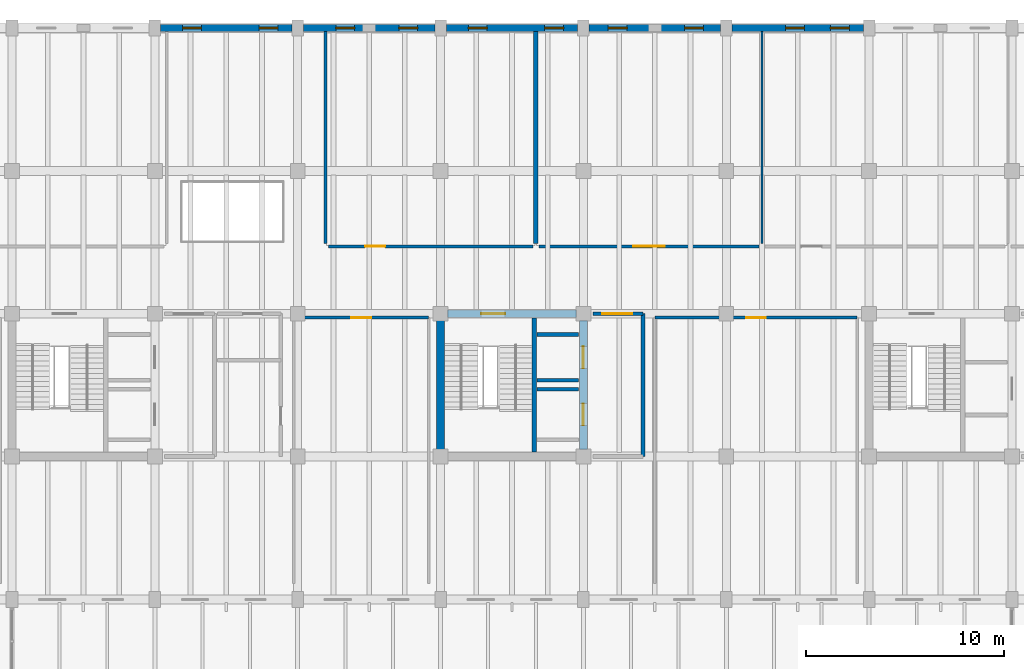
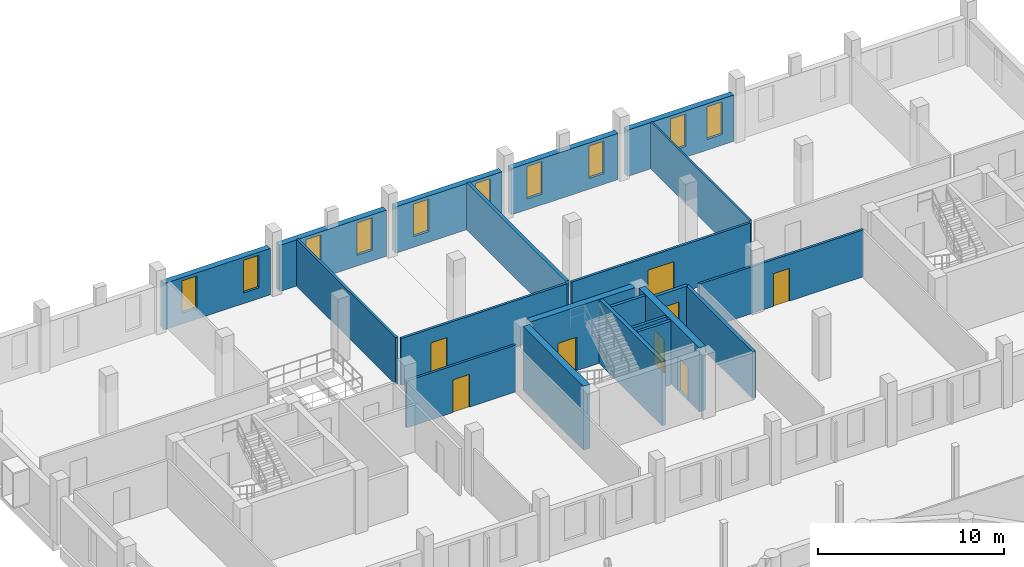
# One storey, part 53 of 63: 21 walls, 10 windows, 8 doors, 18 openings.
"""IFC4 building model written with IfcOpenShell, lengths in metres."""

from ifc_helpers import new_model, si_unit, direction, frame, frame_2d, origin, place, context, subcontext, project, spatial, rectangle, extrude, material, layer, layer_set, type_object, element, fill, save


model = new_model("IFC4")

# Units and contexts
model_context = context("Model", 3, precision=1e-05, world=origin(), true_north=direction((0.0, 1.0)))
body_context = subcontext(model_context, "Body", "Model", "MODEL_VIEW")
ifc_project = project(units=[si_unit("LENGTHUNIT", "METRE"), si_unit("AREAUNIT", "SQUARE_METRE"), si_unit("VOLUMEUNIT", "CUBIC_METRE"), si_unit("PLANEANGLEUNIT", "RADIAN"), si_unit("MASSUNIT", "GRAM", prefix="KILO")], contexts=[model_context])

# Site, building, storey
site_placement = place(None, origin())
site = spatial("IfcSite", under=ifc_project, at=site_placement, CompositionType="ELEMENT")
building_placement = place(site_placement, origin())
building = spatial("IfcBuilding", under=site, at=building_placement, Name="Qiaolan Assembly House", CompositionType="ELEMENT")
storey_placement = place(building_placement, frame((0.0, 0.0, 14.39990234375)))
storey = spatial("IfcBuildingStorey", under=building, at=storey_placement, Name="L03", CompositionType="ELEMENT", Elevation=14.39990234375)

# Wall, openings, doors
ifc_material_1 = material(Name="Concrete C45/55", Category="concrete")
ifc_layer_1 = layer(ifc_material_1, 0.39990234375)
ifc_layer_set_1 = layer_set([ifc_layer_1], Name="Concrete C45/55")
wall_type_1 = type_object("IfcWallType", Name="WAL-CORE-400", PredefinedType="SHEAR", material=ifc_layer_set_1)
wall_1_placement = place(storey_placement, frame((72.0, 93.949951171875, 0.0), z_axis=(0.0, 0.0, 1.0), x_axis=(0.0, 1.0, 0.0)))
wall_1 = element("IfcWall", 1, at=wall_1_placement, inside=storey, type_object=wall_type_1, Name="CW-400 shear core wall CORE-B E L03", PredefinedType="SHEAR", context=body_context, shape_type="SweptSolid", body=[
    extrude(rectangle(XDim=6.5, YDim=0.39990234375, at=frame_2d((3.25, 0.0))), origin(), (0.0, 0.0, 1.0), 4.2001953125),
])
opening_1_placement = place(wall_1_placement, frame((1.22509765625, 0.0, 0.0)))
opening_1 = element("IfcOpeningElement", 2, at=opening_1_placement, cuts=wall_1, Name="Opening LD-023", PredefinedType="OPENING", context=body_context, shape_type="SweptSolid", body=[
    extrude(rectangle(XDim=1.10009765625, YDim=2.199951171875, at=frame_2d((0.550048828125, 1.10009765625))), frame((0.0, 0.2099609375, 0.0), z_axis=(0.0, -1.0, 0.0), x_axis=(1.0, 0.0, 0.0)), (0.0, 0.0, 1.0), 0.419921875),
])
opening_2_placement = place(wall_1_placement, frame((4.10009765625, 0.0, 0.0)))
opening_2 = element("IfcOpeningElement", 3, at=opening_2_placement, cuts=wall_1, Name="Opening LD-032", PredefinedType="OPENING", context=body_context, shape_type="SweptSolid", body=[
    extrude(rectangle(XDim=1.10009765625, YDim=2.199951171875, at=frame_2d((0.550048828125, 1.10009765625))), frame((0.0, 0.2099609375, 0.0), z_axis=(0.0, -1.0, 0.0), x_axis=(1.0, 0.0, 0.0)), (0.0, 0.0, 1.0), 0.419921875),
])
ifc_material_2 = material(Name="Anodised bronze aluminium", Category="aluminium")
door_type_1 = type_object("IfcDoorType", Name="DOR-LIFT-LD1100", OperationType="SLIDING_TO_LEFT", PredefinedType="DOOR", material=ifc_material_2)
door_1_placement = place(opening_1_placement, origin())
door_1 = element("IfcDoor", 4, at=door_1_placement, inside=storey, type_object=door_type_1, Name="Lift landing door LD-023 (LF-03 L03)", OperationType="SLIDING_TO_LEFT", OverallHeight=2.199951171875, OverallWidth=1.10009765625, PredefinedType="DOOR", context=body_context, shape_type="SweptSolid", body=[
    extrude(rectangle(XDim=1.10009765625, YDim=2.199951171875, at=frame_2d((0.550048828125, 1.10009765625))), frame((0.0, 0.02490234375, 0.0), z_axis=(0.0, -1.0, 0.0), x_axis=(1.0, 0.0, 0.0)), (0.0, 0.0, 1.0), 0.050048828125),
])
fill(opening_1, door_1)
door_2_placement = place(opening_2_placement, origin())
door_2 = element("IfcDoor", 5, at=door_2_placement, inside=storey, type_object=door_type_1, Name="Lift landing door LD-032 (LF-04 L03)", OperationType="SLIDING_TO_LEFT", OverallHeight=2.199951171875, OverallWidth=1.10009765625, PredefinedType="DOOR", context=body_context, shape_type="SweptSolid", body=[
    extrude(rectangle(XDim=1.10009765625, YDim=2.199951171875, at=frame_2d((0.550048828125, 1.10009765625))), frame((0.0, 0.02490234375, 0.0), z_axis=(0.0, -1.0, 0.0), x_axis=(1.0, 0.0, 0.0)), (0.0, 0.0, 1.0), 0.050048828125),
])
fill(opening_2, door_2)

# Wall, opening, door
wall_2_placement = place(storey_placement, frame((71.64990234375, 100.800048828125, 0.0), z_axis=(0.0, 0.0, 1.0), x_axis=(-1.0, 0.0, 0.0)))
wall_2 = element("IfcWall", 6, at=wall_2_placement, inside=storey, type_object=wall_type_1, Name="CW-400 shear core wall CORE-B N L03", PredefinedType="SHEAR", context=body_context, shape_type="SweptSolid", body=[
    extrude(rectangle(XDim=6.5, YDim=0.39990234375, at=frame_2d((3.25, 0.0))), origin(), (0.0, 0.0, 1.0), 4.2001953125),
])
opening_3_placement = place(wall_2_placement, frame((3.60009765625, 0.0, 0.0)))
opening_3 = element("IfcOpeningElement", 7, at=opening_3_placement, cuts=wall_2, Name="Opening FD-043", PredefinedType="OPENING", context=body_context, shape_type="SweptSolid", body=[
    extrude(rectangle(XDim=1.199951171875, YDim=2.199951171875, at=frame_2d((0.60009765625, 1.10009765625))), frame((0.0, 0.2099609375, 0.0), z_axis=(0.0, -1.0, 0.0), x_axis=(1.0, 0.0, 0.0)), (0.0, 0.0, 1.0), 0.419921875),
])
ifc_material_3 = material(Name="Steel Q355B", Category="steel")
door_type_2 = type_object("IfcDoorType", Name="DOR-FIRE-FD90-1200", OperationType="NOTDEFINED", PredefinedType="DOOR", material=ifc_material_3)
door_3_placement = place(opening_3_placement, frame((1.199951171875, 0.0, 0.0), z_axis=(0.0, 0.0, 1.0), x_axis=(-1.0, 0.0, 0.0)))
door_3 = element("IfcDoor", 8, at=door_3_placement, inside=storey, type_object=door_type_2, Name="Stairwell fire door FD-043 (CORE-B L03)", OperationType="SINGLE_SWING_LEFT", OverallHeight=2.199951171875, OverallWidth=1.199951171875, PredefinedType="DOOR", context=body_context, shape_type="SweptSolid", body=[
    extrude(rectangle(XDim=1.199951171875, YDim=2.199951171875, at=frame_2d((0.60009765625, 1.10009765625))), frame((0.0, 0.02490234375, 0.0), z_axis=(0.0, -1.0, 0.0), x_axis=(1.0, 0.0, 0.0)), (0.0, 0.0, 1.0), 0.050048828125),
])
fill(opening_3, door_3)

# Wall
wall_3_placement = place(storey_placement, frame((64.800048828125, 100.449951171875, 0.0), z_axis=(0.0, 0.0, 1.0), x_axis=(0.0, -1.0, 0.0)))
element("IfcWall", 9, at=wall_3_placement, inside=storey, type_object=wall_type_1, Name="CW-400 shear core wall CORE-B W L03", PredefinedType="SHEAR", context=body_context, shape_type="SweptSolid", body=[
    extrude(rectangle(XDim=6.5, YDim=0.39990234375, at=frame_2d((3.25, 0.0))), origin(), (0.0, 0.0, 1.0), 4.2001953125),
])

# Wall, openings, windows
ifc_material_4 = material(Name="Honed pale limestone", Category="masonry")
ifc_layer_2 = layer(ifc_material_4, 0.360107421875)
ifc_layer_set_2 = layer_set([ifc_layer_2], Name="Honed pale limestone")
wall_type_2 = type_object("IfcWallType", Name="WAL-EXT-LIMESTONE-360", PredefinedType="SOLIDWALL", material=ifc_layer_set_2)
wall_4_placement = place(storey_placement, frame((57.31201171875, 115.199951171875, 0.0), z_axis=(0.0, 0.0, 1.0), x_axis=(-1.0, 0.0, 0.0)))
wall_4 = element("IfcWall", 10, at=wall_4_placement, inside=storey, type_object=wall_type_2, Name="EW-360 NW North street wall L03 bay 3", PredefinedType="SOLIDWALL", context=body_context, shape_type="SweptSolid", body=[
    extrude(rectangle(XDim=6.6240234375, YDim=0.360107421875, at=frame_2d((3.31201171875, 0.0))), origin(), (0.0, 0.0, 1.0), 3.0400390625),
])
opening_4_placement = place(wall_4_placement, frame((0.7119140625, 0.0, 0.699951171875)))
opening_4 = element("IfcOpeningElement", 11, at=opening_4_placement, cuts=wall_4, Name="Opening WN-072", PredefinedType="OPENING", context=body_context, shape_type="SweptSolid", body=[
    extrude(rectangle(XDim=0.949951171875, YDim=2.139892578125, at=frame_2d((0.47509765625, 1.06982421875))), frame((0.0, 0.18994140625, 0.0), z_axis=(0.0, -1.0, 0.0), x_axis=(1.0, 0.0, 0.0)), (0.0, 0.0, 1.0), 0.380126953125),
])
opening_5_placement = place(wall_4_placement, frame((4.56201171875, 0.0, 0.699951171875)))
opening_5 = element("IfcOpeningElement", 12, at=opening_5_placement, cuts=wall_4, Name="Opening WN-073", PredefinedType="OPENING", context=body_context, shape_type="SweptSolid", body=[
    extrude(rectangle(XDim=0.949951171875, YDim=2.139892578125, at=frame_2d((0.47509765625, 1.06982421875))), frame((0.0, 0.18994140625, 0.0), z_axis=(0.0, -1.0, 0.0), x_axis=(1.0, 0.0, 0.0)), (0.0, 0.0, 1.0), 0.380126953125),
])
ifc_material_5 = material(Name="Low-E double insulating glass", Category="glass")
window_type = type_object("IfcWindowType", Name="WIN-PUNCH-950x2400", PartitioningType="SINGLE_PANEL", PredefinedType="WINDOW", material=ifc_material_5)
window_1_placement = place(opening_4_placement, origin())
window_1 = element("IfcWindow", 13, at=window_1_placement, inside=storey, type_object=window_type, Name="WN-T06 window WN-072", OverallHeight=2.139892578125, OverallWidth=0.949951171875, PartitioningType="SINGLE_PANEL", PredefinedType="WINDOW", context=body_context, shape_type="SweptSolid", body=[
    extrude(rectangle(XDim=0.949951171875, YDim=2.139892578125, at=frame_2d((0.47509765625, 1.06982421875))), frame((0.0, 0.030029296875, 0.0), z_axis=(0.0, -1.0, 0.0), x_axis=(1.0, 0.0, 0.0)), (0.0, 0.0, 1.0), 0.06005859375),
])
fill(opening_4, window_1)
window_2_placement = place(opening_5_placement, origin())
window_2 = element("IfcWindow", 14, at=window_2_placement, inside=storey, type_object=window_type, Name="WN-T06 window WN-073", OverallHeight=2.139892578125, OverallWidth=0.949951171875, PartitioningType="SINGLE_PANEL", PredefinedType="WINDOW", context=body_context, shape_type="SweptSolid", body=[
    extrude(rectangle(XDim=0.949951171875, YDim=2.139892578125, at=frame_2d((0.47509765625, 1.06982421875))), frame((0.0, 0.030029296875, 0.0), z_axis=(0.0, -1.0, 0.0), x_axis=(1.0, 0.0, 0.0)), (0.0, 0.0, 1.0), 0.06005859375),
])
fill(opening_5, window_2)

wall_5_placement = place(storey_placement, frame((64.511962890625, 115.199951171875, 0.0), z_axis=(0.0, 0.0, 1.0), x_axis=(-1.0, 0.0, 0.0)))
wall_5 = element("IfcWall", 15, at=wall_5_placement, inside=storey, type_object=wall_type_2, Name="EW-360 NW North street wall L03 bay 4", PredefinedType="SOLIDWALL", context=body_context, shape_type="SweptSolid", body=[
    extrude(rectangle(XDim=6.6240234375, YDim=0.360107421875, at=frame_2d((3.31201171875, 0.0))), origin(), (0.0, 0.0, 1.0), 3.0400390625),
])
opening_6_placement = place(wall_5_placement, frame((0.862060546875, 0.0, 0.699951171875)))
opening_6 = element("IfcOpeningElement", 16, at=opening_6_placement, cuts=wall_5, Name="Opening WN-074", PredefinedType="OPENING", context=body_context, shape_type="SweptSolid", body=[
    extrude(rectangle(XDim=0.949951171875, YDim=2.139892578125, at=frame_2d((0.47509765625, 1.06982421875))), frame((0.0, 0.18994140625, 0.0), z_axis=(0.0, -1.0, 0.0), x_axis=(1.0, 0.0, 0.0)), (0.0, 0.0, 1.0), 0.380126953125),
])
opening_7_placement = place(wall_5_placement, frame((4.04443359375, 0.0, 0.699951171875)))
opening_7 = element("IfcOpeningElement", 17, at=opening_7_placement, cuts=wall_5, Name="Opening WN-075", PredefinedType="OPENING", context=body_context, shape_type="SweptSolid", body=[
    extrude(rectangle(XDim=0.949951171875, YDim=2.139892578125, at=frame_2d((0.47509765625, 1.06982421875))), frame((0.0, 0.18994140625, 0.0), z_axis=(0.0, -1.0, 0.0), x_axis=(1.0, 0.0, 0.0)), (0.0, 0.0, 1.0), 0.380126953125),
])
window_3_placement = place(opening_6_placement, origin())
window_3 = element("IfcWindow", 18, at=window_3_placement, inside=storey, type_object=window_type, Name="WN-T06 window WN-074", OverallHeight=2.139892578125, OverallWidth=0.949951171875, PartitioningType="SINGLE_PANEL", PredefinedType="WINDOW", context=body_context, shape_type="SweptSolid", body=[
    extrude(rectangle(XDim=0.949951171875, YDim=2.139892578125, at=frame_2d((0.47509765625, 1.06982421875))), frame((0.0, 0.030029296875, 0.0), z_axis=(0.0, -1.0, 0.0), x_axis=(1.0, 0.0, 0.0)), (0.0, 0.0, 1.0), 0.06005859375),
])
fill(opening_6, window_3)
window_4_placement = place(opening_7_placement, origin())
window_4 = element("IfcWindow", 19, at=window_4_placement, inside=storey, type_object=window_type, Name="WN-T06 window WN-075", OverallHeight=2.139892578125, OverallWidth=0.949951171875, PartitioningType="SINGLE_PANEL", PredefinedType="WINDOW", context=body_context, shape_type="SweptSolid", body=[
    extrude(rectangle(XDim=0.949951171875, YDim=2.139892578125, at=frame_2d((0.47509765625, 1.06982421875))), frame((0.0, 0.030029296875, 0.0), z_axis=(0.0, -1.0, 0.0), x_axis=(1.0, 0.0, 0.0)), (0.0, 0.0, 1.0), 0.06005859375),
])
fill(opening_7, window_4)

wall_6_placement = place(storey_placement, frame((71.7119140625, 115.199951171875, 0.0), z_axis=(0.0, 0.0, 1.0), x_axis=(-1.0, 0.0, 0.0)))
wall_6 = element("IfcWall", 20, at=wall_6_placement, inside=storey, type_object=wall_type_2, Name="EW-360 NW North street wall L03 bay 5", PredefinedType="SOLIDWALL", context=body_context, shape_type="SweptSolid", body=[
    extrude(rectangle(XDim=6.6240234375, YDim=0.360107421875, at=frame_2d((3.31201171875, 0.0))), origin(), (0.0, 0.0, 1.0), 3.0400390625),
])
opening_8_placement = place(wall_6_placement, frame((0.7119140625, 0.0, 0.699951171875)))
opening_8 = element("IfcOpeningElement", 21, at=opening_8_placement, cuts=wall_6, Name="Opening WN-076", PredefinedType="OPENING", context=body_context, shape_type="SweptSolid", body=[
    extrude(rectangle(XDim=0.949951171875, YDim=2.139892578125, at=frame_2d((0.47509765625, 1.06982421875))), frame((0.0, 0.18994140625, 0.0), z_axis=(0.0, -1.0, 0.0), x_axis=(1.0, 0.0, 0.0)), (0.0, 0.0, 1.0), 0.380126953125),
])
opening_9_placement = place(wall_6_placement, frame((4.56201171875, 0.0, 0.699951171875)))
opening_9 = element("IfcOpeningElement", 22, at=opening_9_placement, cuts=wall_6, Name="Opening WN-077", PredefinedType="OPENING", context=body_context, shape_type="SweptSolid", body=[
    extrude(rectangle(XDim=0.949951171875, YDim=2.139892578125, at=frame_2d((0.47509765625, 1.06982421875))), frame((0.0, 0.18994140625, 0.0), z_axis=(0.0, -1.0, 0.0), x_axis=(1.0, 0.0, 0.0)), (0.0, 0.0, 1.0), 0.380126953125),
])
window_5_placement = place(opening_8_placement, origin())
window_5 = element("IfcWindow", 23, at=window_5_placement, inside=storey, type_object=window_type, Name="WN-T06 window WN-076", OverallHeight=2.139892578125, OverallWidth=0.949951171875, PartitioningType="SINGLE_PANEL", PredefinedType="WINDOW", context=body_context, shape_type="SweptSolid", body=[
    extrude(rectangle(XDim=0.949951171875, YDim=2.139892578125, at=frame_2d((0.47509765625, 1.06982421875))), frame((0.0, 0.030029296875, 0.0), z_axis=(0.0, -1.0, 0.0), x_axis=(1.0, 0.0, 0.0)), (0.0, 0.0, 1.0), 0.06005859375),
])
fill(opening_8, window_5)
window_6_placement = place(opening_9_placement, origin())
window_6 = element("IfcWindow", 24, at=window_6_placement, inside=storey, type_object=window_type, Name="WN-T06 window WN-077", OverallHeight=2.139892578125, OverallWidth=0.949951171875, PartitioningType="SINGLE_PANEL", PredefinedType="WINDOW", context=body_context, shape_type="SweptSolid", body=[
    extrude(rectangle(XDim=0.949951171875, YDim=2.139892578125, at=frame_2d((0.47509765625, 1.06982421875))), frame((0.0, 0.030029296875, 0.0), z_axis=(0.0, -1.0, 0.0), x_axis=(1.0, 0.0, 0.0)), (0.0, 0.0, 1.0), 0.06005859375),
])
fill(opening_9, window_6)

wall_7_placement = place(storey_placement, frame((78.912109375, 115.199951171875, 0.0), z_axis=(0.0, 0.0, 1.0), x_axis=(-1.0, 0.0, 0.0)))
wall_7 = element("IfcWall", 25, at=wall_7_placement, inside=storey, type_object=wall_type_2, Name="EW-360 NW North street wall L03 bay 6", PredefinedType="SOLIDWALL", context=body_context, shape_type="SweptSolid", body=[
    extrude(rectangle(XDim=6.6240234375, YDim=0.360107421875, at=frame_2d((3.31201171875, 0.0))), origin(), (0.0, 0.0, 1.0), 3.0400390625),
])
opening_10_placement = place(wall_7_placement, frame((0.862060546875, 0.0, 0.699951171875)))
opening_10 = element("IfcOpeningElement", 26, at=opening_10_placement, cuts=wall_7, Name="Opening WN-078", PredefinedType="OPENING", context=body_context, shape_type="SweptSolid", body=[
    extrude(rectangle(XDim=0.949951171875, YDim=2.139892578125, at=frame_2d((0.47509765625, 1.06982421875))), frame((0.0, 0.18994140625, 0.0), z_axis=(0.0, -1.0, 0.0), x_axis=(1.0, 0.0, 0.0)), (0.0, 0.0, 1.0), 0.380126953125),
])
opening_11_placement = place(wall_7_placement, frame((4.7119140625, 0.0, 0.699951171875)))
opening_11 = element("IfcOpeningElement", 27, at=opening_11_placement, cuts=wall_7, Name="Opening WN-079", PredefinedType="OPENING", context=body_context, shape_type="SweptSolid", body=[
    extrude(rectangle(XDim=0.949951171875, YDim=2.139892578125, at=frame_2d((0.47509765625, 1.06982421875))), frame((0.0, 0.18994140625, 0.0), z_axis=(0.0, -1.0, 0.0), x_axis=(1.0, 0.0, 0.0)), (0.0, 0.0, 1.0), 0.380126953125),
])
window_7_placement = place(opening_10_placement, origin())
window_7 = element("IfcWindow", 28, at=window_7_placement, inside=storey, type_object=window_type, Name="WN-T06 window WN-078", OverallHeight=2.139892578125, OverallWidth=0.949951171875, PartitioningType="SINGLE_PANEL", PredefinedType="WINDOW", context=body_context, shape_type="SweptSolid", body=[
    extrude(rectangle(XDim=0.949951171875, YDim=2.139892578125, at=frame_2d((0.47509765625, 1.06982421875))), frame((0.0, 0.030029296875, 0.0), z_axis=(0.0, -1.0, 0.0), x_axis=(1.0, 0.0, 0.0)), (0.0, 0.0, 1.0), 0.06005859375),
])
fill(opening_10, window_7)
window_8_placement = place(opening_11_placement, origin())
window_8 = element("IfcWindow", 29, at=window_8_placement, inside=storey, type_object=window_type, Name="WN-T06 window WN-079", OverallHeight=2.139892578125, OverallWidth=0.949951171875, PartitioningType="SINGLE_PANEL", PredefinedType="WINDOW", context=body_context, shape_type="SweptSolid", body=[
    extrude(rectangle(XDim=0.949951171875, YDim=2.139892578125, at=frame_2d((0.47509765625, 1.06982421875))), frame((0.0, 0.030029296875, 0.0), z_axis=(0.0, -1.0, 0.0), x_axis=(1.0, 0.0, 0.0)), (0.0, 0.0, 1.0), 0.06005859375),
])
fill(opening_11, window_8)

wall_8_placement = place(storey_placement, frame((86.112060546875, 115.199951171875, 0.0), z_axis=(0.0, 0.0, 1.0), x_axis=(-1.0, 0.0, 0.0)))
wall_8 = element("IfcWall", 30, at=wall_8_placement, inside=storey, type_object=wall_type_2, Name="EW-360 NW North street wall L03 bay 7", PredefinedType="SOLIDWALL", context=body_context, shape_type="SweptSolid", body=[
    extrude(rectangle(XDim=6.6240234375, YDim=0.360107421875, at=frame_2d((3.31201171875, 0.0))), origin(), (0.0, 0.0, 1.0), 3.0400390625),
])
opening_12_placement = place(wall_8_placement, frame((0.7119140625, 0.0, 0.699951171875)))
opening_12 = element("IfcOpeningElement", 31, at=opening_12_placement, cuts=wall_8, Name="Opening WN-080", PredefinedType="OPENING", context=body_context, shape_type="SweptSolid", body=[
    extrude(rectangle(XDim=0.949951171875, YDim=2.139892578125, at=frame_2d((0.47509765625, 1.06982421875))), frame((0.0, 0.18994140625, 0.0), z_axis=(0.0, -1.0, 0.0), x_axis=(1.0, 0.0, 0.0)), (0.0, 0.0, 1.0), 0.380126953125),
])
opening_13_placement = place(wall_8_placement, frame((2.97705078125, 0.0, 0.699951171875)))
opening_13 = element("IfcOpeningElement", 32, at=opening_13_placement, cuts=wall_8, Name="Opening WN-081", PredefinedType="OPENING", context=body_context, shape_type="SweptSolid", body=[
    extrude(rectangle(XDim=0.949951171875, YDim=2.139892578125, at=frame_2d((0.47509765625, 1.06982421875))), frame((0.0, 0.18994140625, 0.0), z_axis=(0.0, -1.0, 0.0), x_axis=(1.0, 0.0, 0.0)), (0.0, 0.0, 1.0), 0.380126953125),
])
window_9_placement = place(opening_12_placement, origin())
window_9 = element("IfcWindow", 33, at=window_9_placement, inside=storey, type_object=window_type, Name="WN-T06 window WN-080", OverallHeight=2.139892578125, OverallWidth=0.949951171875, PartitioningType="SINGLE_PANEL", PredefinedType="WINDOW", context=body_context, shape_type="SweptSolid", body=[
    extrude(rectangle(XDim=0.949951171875, YDim=2.139892578125, at=frame_2d((0.47509765625, 1.06982421875))), frame((0.0, 0.030029296875, 0.0), z_axis=(0.0, -1.0, 0.0), x_axis=(1.0, 0.0, 0.0)), (0.0, 0.0, 1.0), 0.06005859375),
])
fill(opening_12, window_9)
window_10_placement = place(opening_13_placement, origin())
window_10 = element("IfcWindow", 34, at=window_10_placement, inside=storey, type_object=window_type, Name="WN-T06 window WN-081", OverallHeight=2.139892578125, OverallWidth=0.949951171875, PartitioningType="SINGLE_PANEL", PredefinedType="WINDOW", context=body_context, shape_type="SweptSolid", body=[
    extrude(rectangle(XDim=0.949951171875, YDim=2.139892578125, at=frame_2d((0.47509765625, 1.06982421875))), frame((0.0, 0.030029296875, 0.0), z_axis=(0.0, -1.0, 0.0), x_axis=(1.0, 0.0, 0.0)), (0.0, 0.0, 1.0), 0.06005859375),
])
fill(opening_13, window_10)

# Wall
ifc_material_6 = material(Name="Concrete C35/45", Category="concrete")
ifc_layer_3 = layer(ifc_material_6, 0.199951171875)
ifc_layer_set_3 = layer_set([ifc_layer_3], Name="Concrete C35/45")
wall_type_3 = type_object("IfcWallType", Name="WAL-LOBBY-200", PredefinedType="PARTITIONING", material=ifc_layer_set_3)
wall_9_placement = place(storey_placement, frame((75.0, 93.60009765625, 0.0), z_axis=(0.0, 0.0, 1.0), x_axis=(0.0, 1.0, 0.0)))
element("IfcWall", 35, at=wall_9_placement, inside=storey, type_object=wall_type_3, Name="Firefighting lift lobby east wall CORE-B L03", PredefinedType="PARTITIONING", context=body_context, shape_type="SweptSolid", body=[
    extrude(rectangle(XDim=7.199951171875, YDim=0.199951171875, at=frame_2d((3.60009765625, 0.0))), origin(), (0.0, 0.0, 1.0), 3.080078125),
])

# Wall, opening, door
wall_10_placement = place(storey_placement, frame((75.0, 100.800048828125, 0.0), z_axis=(0.0, 0.0, 1.0), x_axis=(-1.0, 0.0, 0.0)))
wall_10 = element("IfcWall", 36, at=wall_10_placement, inside=storey, type_object=wall_type_3, Name="Firefighting lift lobby north wall CORE-B L03", PredefinedType="PARTITIONING", context=body_context, shape_type="SweptSolid", body=[
    extrude(rectangle(XDim=2.52001953125, YDim=0.199951171875, at=frame_2d((1.260009765625, 0.0))), origin(), (0.0, 0.0, 1.0), 3.080078125),
])
opening_14_placement = place(wall_10_placement, frame((0.550048828125, 0.0, 0.0)))
opening_14 = element("IfcOpeningElement", 37, at=opening_14_placement, cuts=wall_10, Name="Opening FD-044", PredefinedType="OPENING", context=body_context, shape_type="SweptSolid", body=[
    extrude(rectangle(XDim=1.5, YDim=2.199951171875, at=frame_2d((0.75, 1.10009765625))), frame((0.0, 0.10986328125, 0.0), z_axis=(0.0, -1.0, 0.0), x_axis=(1.0, 0.0, 0.0)), (0.0, 0.0, 1.0), 0.219970703125),
])
ifc_material_7 = material(Name="Acoustic oak panelling")
door_type_3 = type_object("IfcDoorType", Name="DOR-LOBBY-FD60-1500", OperationType="DOUBLE_DOOR_SINGLE_SWING", PredefinedType="DOOR", material=ifc_material_7)
door_4_placement = place(opening_14_placement, frame((1.5, 0.0, 0.0), z_axis=(0.0, 0.0, 1.0), x_axis=(-1.0, 0.0, 0.0)))
door_4 = element("IfcDoor", 38, at=door_4_placement, inside=storey, type_object=door_type_3, Name="Lobby corridor fire door FD-044", OperationType="DOUBLE_DOOR_SINGLE_SWING", OverallHeight=2.199951171875, OverallWidth=1.5, PredefinedType="DOOR", context=body_context, shape_type="SweptSolid", body=[
    extrude(rectangle(XDim=1.5, YDim=2.199951171875, at=frame_2d((0.75, 1.10009765625))), frame((0.0, 0.02490234375, 0.0), z_axis=(0.0, -1.0, 0.0), x_axis=(1.0, 0.0, 0.0)), (0.0, 0.0, 1.0), 0.050048828125),
])
fill(opening_14, door_4)

# Wall
ifc_material_8 = material(Name="Gypsum plasterboard partition")
ifc_layer_4 = layer(ifc_material_8, 0.1201171875)
ifc_layer_set_4 = layer_set([ifc_layer_4], Name="Gypsum plasterboard partition")
wall_type_4 = type_object("IfcWallType", Name="WAL-PART-120", PredefinedType="PARTITIONING", material=ifc_layer_set_4)
wall_11_placement = place(storey_placement, frame((81.0, 104.35009765625, 0.0), z_axis=(0.0, 0.0, 1.0), x_axis=(0.0, 1.0, 0.0)))
element("IfcWall", 39, at=wall_11_placement, inside=storey, type_object=wall_type_4, Name="Public Works & Utilities Engineering Office demising wall", PredefinedType="PARTITIONING", context=body_context, shape_type="SweptSolid", body=[
    extrude(rectangle(XDim=10.669921875, YDim=0.1201171875, at=frame_2d((5.3349609375, 0.0))), origin(), (0.0, 0.0, 1.0), 3.080078125),
])

# Wall, opening, door
ifc_layer_5 = layer(ifc_material_8, 0.14990234375)
ifc_layer_set_5 = layer_set([ifc_layer_5], Name="Gypsum plasterboard partition")
wall_type_5 = type_object("IfcWallType", Name="WAL-PART-150", PredefinedType="PARTITIONING", material=ifc_layer_set_5)
wall_12_placement = place(storey_placement, frame((59.14990234375, 104.199951171875, 0.0), z_axis=(0.0, 0.0, 1.0), x_axis=(1.0, 0.0, 0.0)))
wall_12 = element("IfcWall", 40, at=wall_12_placement, inside=storey, type_object=wall_type_5, Name="GIS & Digital Twin Municipal Data Room corridor wall", PredefinedType="PARTITIONING", context=body_context, shape_type="SweptSolid", body=[
    extrude(rectangle(XDim=10.300048828125, YDim=0.14990234375, at=frame_2d((5.14990234375, 0.0))), origin(), (0.0, 0.0, 1.0), 3.080078125),
])
opening_15_placement = place(wall_12_placement, frame((1.85009765625, 0.0, 0.0)))
opening_15 = element("IfcOpeningElement", 41, at=opening_15_placement, cuts=wall_12, Name="Opening ND-200", PredefinedType="OPENING", context=body_context, shape_type="SweptSolid", body=[
    extrude(rectangle(XDim=1.0, YDim=2.14990234375, at=frame_2d((0.5, 1.074951171875))), frame((0.0, 0.0849609375, 0.0), z_axis=(0.0, -1.0, 0.0), x_axis=(1.0, 0.0, 0.0)), (0.0, 0.0, 1.0), 0.169921875),
])
door_type_4 = type_object("IfcDoorType", Name="DOR-OFF-SGL-1000", OperationType="NOTDEFINED", PredefinedType="DOOR", material=ifc_material_7)
door_5_placement = place(opening_15_placement, origin())
door_5 = element("IfcDoor", 42, at=door_5_placement, inside=storey, type_object=door_type_4, Name="GIS & Digital Twin Municipal Data Room door ND-200", OperationType="SINGLE_SWING_RIGHT", OverallHeight=2.14990234375, OverallWidth=1.0, PredefinedType="DOOR", context=body_context, shape_type="SweptSolid", body=[
    extrude(rectangle(XDim=1.0, YDim=2.14990234375, at=frame_2d((0.5, 1.074951171875))), frame((0.0, 0.02490234375, 0.0), z_axis=(0.0, -1.0, 0.0), x_axis=(1.0, 0.0, 0.0)), (0.0, 0.0, 1.0), 0.050048828125),
])
fill(opening_15, door_5)

# Wall
wall_13_placement = place(storey_placement, frame((59.0, 104.35009765625, 0.0), z_axis=(0.0, 0.0, 1.0), x_axis=(0.0, 1.0, 0.0)))
element("IfcWall", 43, at=wall_13_placement, inside=storey, type_object=wall_type_5, Name="GIS & Digital Twin Municipal Data Room west wall", PredefinedType="PARTITIONING", context=body_context, shape_type="SweptSolid", body=[
    extrude(rectangle(XDim=10.669921875, YDim=0.14990234375, at=frame_2d((5.3349609375, 0.0))), origin(), (0.0, 0.0, 1.0), 3.080078125),
])

# Wall, opening, door
wall_14_placement = place(storey_placement, frame((69.75, 104.199951171875, 0.0), z_axis=(0.0, 0.0, 1.0), x_axis=(1.0, 0.0, 0.0)))
wall_14 = element("IfcWall", 44, at=wall_14_placement, inside=storey, type_object=wall_type_5, Name="Departmental Review Conference Room A corridor wall", PredefinedType="PARTITIONING", context=body_context, shape_type="SweptSolid", body=[
    extrude(rectangle(XDim=11.10009765625, YDim=0.14990234375, at=frame_2d((5.550048828125, 0.0))), origin(), (0.0, 0.0, 1.0), 3.080078125),
])
opening_16_placement = place(wall_14_placement, frame((4.75, 0.0, 0.0)))
opening_16 = element("IfcOpeningElement", 45, at=opening_16_placement, cuts=wall_14, Name="Opening ND-201", PredefinedType="OPENING", context=body_context, shape_type="SweptSolid", body=[
    extrude(rectangle(XDim=1.60009765625, YDim=2.199951171875, at=frame_2d((0.800048828125, 1.10009765625))), frame((0.0, 0.0849609375, 0.0), z_axis=(0.0, -1.0, 0.0), x_axis=(1.0, 0.0, 0.0)), (0.0, 0.0, 1.0), 0.169921875),
])
door_type_5 = type_object("IfcDoorType", Name="DOR-COMM-DBL-1600", OperationType="DOUBLE_DOOR_SINGLE_SWING", PredefinedType="DOOR", material=ifc_material_7)
door_6_placement = place(opening_16_placement, origin())
door_6 = element("IfcDoor", 46, at=door_6_placement, inside=storey, type_object=door_type_5, Name="Departmental Review Conference Room A door ND-201", OperationType="DOUBLE_DOOR_SINGLE_SWING", OverallHeight=2.199951171875, OverallWidth=1.60009765625, PredefinedType="DOOR", context=body_context, shape_type="SweptSolid", body=[
    extrude(rectangle(XDim=1.60009765625, YDim=2.199951171875, at=frame_2d((0.800048828125, 1.10009765625))), frame((0.0, 0.02490234375, 0.0), z_axis=(0.0, -1.0, 0.0), x_axis=(1.0, 0.0, 0.0)), (0.0, 0.0, 1.0), 0.050048828125),
])
fill(opening_16, door_6)

wall_15_placement = place(storey_placement, frame((64.199951171875, 100.60009765625, 0.0), z_axis=(0.0, 0.0, 1.0), x_axis=(-1.0, 0.0, 0.0)))
wall_15 = element("IfcWall", 47, at=wall_15_placement, inside=storey, type_object=wall_type_5, Name="Transport Modelling Project Studio corridor wall", PredefinedType="PARTITIONING", context=body_context, shape_type="SweptSolid", body=[
    extrude(rectangle(XDim=6.800048828125, YDim=0.14990234375, at=frame_2d((3.39990234375, 0.0))), origin(), (0.0, 0.0, 1.0), 3.080078125),
])
opening_17_placement = place(wall_15_placement, frame((2.89990234375, 0.0, 0.0)))
opening_17 = element("IfcOpeningElement", 48, at=opening_17_placement, cuts=wall_15, Name="Opening SD-205", PredefinedType="OPENING", context=body_context, shape_type="SweptSolid", body=[
    extrude(rectangle(XDim=1.0, YDim=2.14990234375, at=frame_2d((0.5, 1.074951171875))), frame((0.0, 0.0849609375, 0.0), z_axis=(0.0, -1.0, 0.0), x_axis=(1.0, 0.0, 0.0)), (0.0, 0.0, 1.0), 0.169921875),
])
door_7_placement = place(opening_17_placement, origin())
door_7 = element("IfcDoor", 49, at=door_7_placement, inside=storey, type_object=door_type_4, Name="Transport Modelling Project Studio door SD-205", OperationType="SINGLE_SWING_RIGHT", OverallHeight=2.14990234375, OverallWidth=1.0, PredefinedType="DOOR", context=body_context, shape_type="SweptSolid", body=[
    extrude(rectangle(XDim=1.0, YDim=2.14990234375, at=frame_2d((0.5, 1.074951171875))), frame((0.0, 0.02490234375, 0.0), z_axis=(0.0, -1.0, 0.0), x_axis=(1.0, 0.0, 0.0)), (0.0, 0.0, 1.0), 0.050048828125),
])
fill(opening_17, door_7)

wall_16_placement = place(storey_placement, frame((85.800048828125, 100.60009765625, 0.0), z_axis=(0.0, 0.0, 1.0), x_axis=(-1.0, 0.0, 0.0)))
wall_16 = element("IfcWall", 50, at=wall_16_placement, inside=storey, type_object=wall_type_5, Name="Infrastructure Tender Review Room corridor wall", PredefinedType="PARTITIONING", context=body_context, shape_type="SweptSolid", body=[
    extrude(rectangle(XDim=10.199951171875, YDim=0.14990234375, at=frame_2d((5.10009765625, 0.0))), origin(), (0.0, 0.0, 1.0), 3.080078125),
])
opening_18_placement = place(wall_16_placement, frame((4.60009765625, 0.0, 0.0)))
opening_18 = element("IfcOpeningElement", 51, at=opening_18_placement, cuts=wall_16, Name="Opening SD-206", PredefinedType="OPENING", context=body_context, shape_type="SweptSolid", body=[
    extrude(rectangle(XDim=1.0, YDim=2.14990234375, at=frame_2d((0.5, 1.074951171875))), frame((0.0, 0.0849609375, 0.0), z_axis=(0.0, -1.0, 0.0), x_axis=(1.0, 0.0, 0.0)), (0.0, 0.0, 1.0), 0.169921875),
])
door_8_placement = place(opening_18_placement, origin())
door_8 = element("IfcDoor", 52, at=door_8_placement, inside=storey, type_object=door_type_4, Name="Infrastructure Tender Review Room door SD-206", OperationType="SINGLE_SWING_LEFT", OverallHeight=2.14990234375, OverallWidth=1.0, PredefinedType="DOOR", context=body_context, shape_type="SweptSolid", body=[
    extrude(rectangle(XDim=1.0, YDim=2.14990234375, at=frame_2d((0.5, 1.074951171875))), frame((0.0, 0.02490234375, 0.0), z_axis=(0.0, -1.0, 0.0), x_axis=(1.0, 0.0, 0.0)), (0.0, 0.0, 1.0), 0.050048828125),
])
fill(opening_18, door_8)

# Walls
ifc_material_9 = material(Name="Gypsum acoustic stud wall")
ifc_layer_6 = layer(ifc_material_9, 0.2119140625)
ifc_layer_set_6 = layer_set([ifc_layer_6], Name="Gypsum acoustic stud wall")
wall_type_6 = type_object("IfcWallType", Name="WAL-PART-ACOUSTIC-200", PredefinedType="PARTITIONING", material=ifc_layer_set_6)
wall_17_placement = place(storey_placement, frame((69.60009765625, 104.35009765625, 0.0), z_axis=(0.0, 0.0, 1.0), x_axis=(0.0, 1.0, 0.0)))
element("IfcWall", 53, at=wall_17_placement, inside=storey, type_object=wall_type_6, Name="Departmental Review Conference Room A demising wall", PredefinedType="PARTITIONING", context=body_context, shape_type="SweptSolid", body=[
    extrude(rectangle(XDim=10.669921875, YDim=0.2119140625, at=frame_2d((5.3349609375, 0.0))), origin(), (0.0, 0.0, 1.0), 3.080078125),
])
ifc_layer_7 = layer(ifc_material_6, 0.18505859375)
ifc_layer_set_7 = layer_set([ifc_layer_7], Name="Concrete C35/45")
wall_type_7 = type_object("IfcWallType", Name="WAL-SHAFT-200", PredefinedType="PARTITIONING", material=ifc_layer_set_7)
for number, where, z_axis, x_axis, name in (
    (54, (69.64990234375, 97.0, 0.0), (0.0, 0.0, 1.0), (1.0, 0.0, 0.0), "SW-200 lift shaft wall LF-03 L03 DIVN"),
    (55, (69.64990234375, 97.449951171875, 0.0), (0.0, 0.0, 1.0), (1.0, 0.0, 0.0), "SW-200 lift shaft wall LF-04 L03 DIVS"),
    (56, (69.64990234375, 99.75, 0.0), (0.0, 0.0, 1.0), (1.0, 0.0, 0.0), "SW-200 lift shaft wall LF-04 L03 DIVN"),
):
    element("IfcWall", number, at=place(storey_placement, frame(where, z_axis=z_axis, x_axis=x_axis)), inside=storey, type_object=wall_type_7, Name=name, PredefinedType="PARTITIONING", context=body_context, shape_type="SweptSolid", body=[
        extrude(rectangle(XDim=2.10009765625, YDim=0.18505859375, at=frame_2d((1.050048828125, 0.0))), origin(), (0.0, 0.0, 1.0), 4.2001953125),
    ])
ifc_material_10 = material(Name="Concrete C40/50", Category="concrete")
ifc_layer_8 = layer(ifc_material_10, 0.22509765625)
ifc_layer_set_8 = layer_set([ifc_layer_8], Name="Concrete C40/50")
wall_type_8 = type_object("IfcWallType", Name="WAL-STAIR-DIV-225", PredefinedType="SHEAR", material=ifc_layer_set_8)
wall_18_placement = place(storey_placement, frame((69.52001953125, 93.820068359375, 0.0), z_axis=(0.0, 0.0, 1.0), x_axis=(0.0, 1.0, 0.0)))
element("IfcWall", 57, at=wall_18_placement, inside=storey, type_object=wall_type_8, Name="SDW-225 stairwell structural spine wall CORE-B L03", PredefinedType="SHEAR", context=body_context, shape_type="SweptSolid", body=[
    extrude(rectangle(XDim=6.760009765625, YDim=0.22509765625, at=frame_2d((3.3798828125, 0.0))), origin(), (0.0, 0.0, 1.0), 4.2001953125),
])

save(model, "model.ifc")
